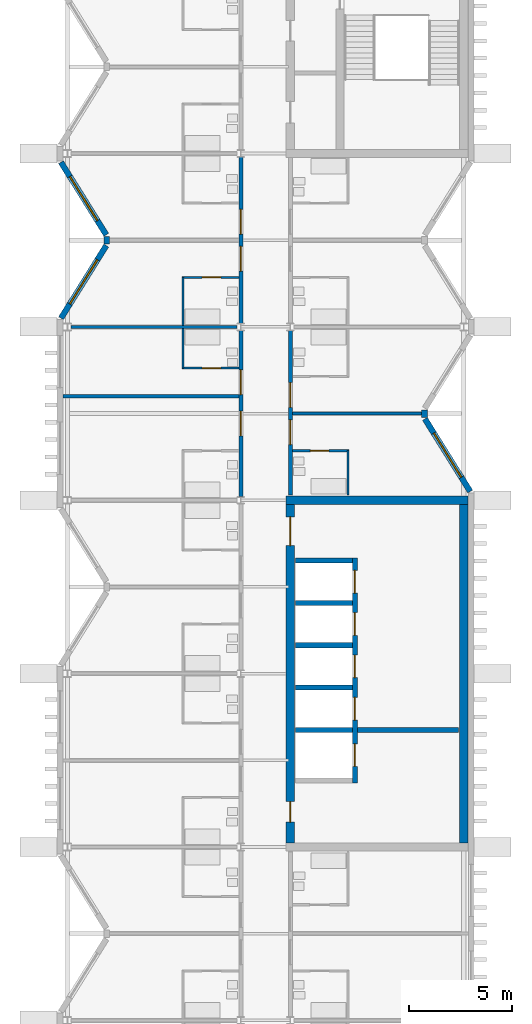
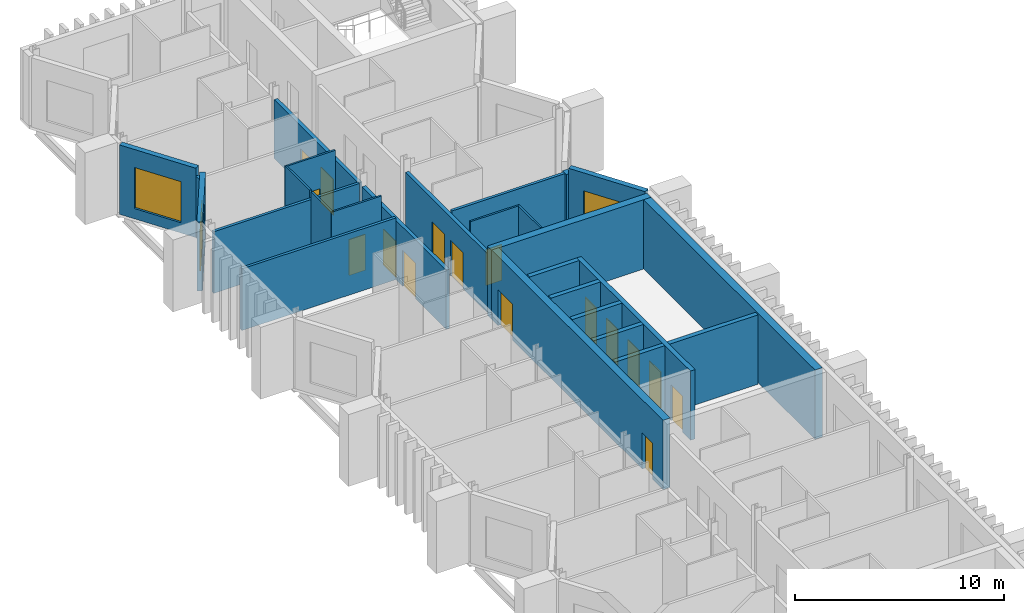
# One storey, part 7 of 11: 27 walls, 16 doors, 3 windows, 19 openings.
"""IFC4 building model written with IfcOpenShell, lengths in metres."""

from ifc_helpers import new_model, si_unit, direction, frame, frame_2d, origin, place, context, subcontext, project, spatial, rectangle, extrude, material, layer, layer_set, type_object, element, fill, save


model = new_model("IFC4")

# Units and contexts
model_context = context("Model", 3, precision=1e-05, world=origin(), true_north=direction((0.0, 1.0)))
body_context = subcontext(model_context, "Body", "Model", "MODEL_VIEW")
ifc_project = project(units=[si_unit("LENGTHUNIT", "METRE"), si_unit("AREAUNIT", "SQUARE_METRE"), si_unit("VOLUMEUNIT", "CUBIC_METRE"), si_unit("PLANEANGLEUNIT", "RADIAN"), si_unit("MASSUNIT", "GRAM", prefix="KILO")], contexts=[model_context])

# Site, building, storey
site_placement = place(None, origin())
site = spatial("IfcSite", under=ifc_project, at=site_placement, CompositionType="ELEMENT")
building_placement = place(site_placement, origin())
building = spatial("IfcBuilding", under=site, at=building_placement, Name="Cresset Court Congress Hotel", CompositionType="ELEMENT")
storey_placement = place(building_placement, frame((0.0, 0.0, 43.800048828125)))
storey = spatial("IfcBuildingStorey", under=building, at=storey_placement, Name="L10", CompositionType="ELEMENT", Elevation=43.800048828125)

# Wall, openings, doors
ifc_material_1 = material(Name="Gypsum board partition")
ifc_layer_1 = layer(ifc_material_1, 0.199951171875)
ifc_layer_set_1 = layer_set([ifc_layer_1], Name="Corridor wall 200")
wall_type_1 = type_object("IfcWallType", Name="Corridor wall 200", PredefinedType="PARTITIONING", material=ifc_layer_set_1)
wall_1_placement = place(storey_placement, frame((165.60009765625, 42.175048828125, 0.0), z_axis=(0.0, 0.0, 1.0), x_axis=(0.0, 1.0, 0.0)))
wall_1 = element("IfcWall", 1, at=wall_1_placement, inside=storey, type_object=wall_type_1, Name="A.wl.L10.075", PredefinedType="PARTITIONING", context=body_context, shape_type="SweptSolid", body=[
    extrude(rectangle(XDim=8.050048828125, YDim=0.199951171875, at=frame_2d((4.02490234375, 0.0))), origin(), (0.0, 0.0, 1.0), 3.449951171875),
])
opening_1_placement = place(wall_1_placement, frame((2.945068359375, 0.0, 0.0)))
opening_1 = element("IfcOpeningElement", 2, at=opening_1_placement, cuts=wall_1, Name="Opening DA-10-22", PredefinedType="OPENING", context=body_context, shape_type="SweptSolid", body=[
    extrude(rectangle(XDim=1.199951171875, YDim=2.10009765625, at=frame_2d((0.60009765625, 1.050048828125))), frame((0.0, 0.10986328125, 0.0), z_axis=(0.0, -1.0, 0.0), x_axis=(1.0, 0.0, 0.0)), (0.0, 0.0, 1.0), 0.219970703125),
])
opening_2_placement = place(wall_1_placement, frame((4.945068359375, 0.0, 0.0)))
opening_2 = element("IfcOpeningElement", 3, at=opening_2_placement, cuts=wall_1, Name="Opening DA-10-24", PredefinedType="OPENING", context=body_context, shape_type="SweptSolid", body=[
    extrude(rectangle(XDim=1.199951171875, YDim=2.10009765625, at=frame_2d((0.60009765625, 1.050048828125))), frame((0.0, 0.10986328125, 0.0), z_axis=(0.0, -1.0, 0.0), x_axis=(1.0, 0.0, 0.0)), (0.0, 0.0, 1.0), 0.219970703125),
])
ifc_material_2 = material(Name="timber", Category="wood")
door_type_1 = type_object("IfcDoorType", Name="Guest-room entry door 1200x2100 FD30S", OperationType="SINGLE_SWING_LEFT", PredefinedType="DOOR", material=ifc_material_2)
door_1_placement = place(opening_1_placement, origin())
door_1 = element("IfcDoor", 4, at=door_1_placement, inside=storey, type_object=door_type_1, Name="Door DA-10-22", OperationType="SINGLE_SWING_RIGHT", OverallHeight=2.10009765625, OverallWidth=1.199951171875, PredefinedType="DOOR", context=body_context, shape_type="SweptSolid", body=[
    extrude(rectangle(XDim=1.199951171875, YDim=2.10009765625, at=frame_2d((0.60009765625, 1.050048828125))), frame((0.0, 0.02490234375, 0.0), z_axis=(0.0, -1.0, 0.0), x_axis=(1.0, 0.0, 0.0)), (0.0, 0.0, 1.0), 0.050048828125),
])
fill(opening_1, door_1)
door_2_placement = place(opening_2_placement, origin())
door_2 = element("IfcDoor", 5, at=door_2_placement, inside=storey, type_object=door_type_1, Name="Door DA-10-24", OperationType="SINGLE_SWING_LEFT", OverallHeight=2.10009765625, OverallWidth=1.199951171875, PredefinedType="DOOR", context=body_context, shape_type="SweptSolid", body=[
    extrude(rectangle(XDim=1.199951171875, YDim=2.10009765625, at=frame_2d((0.60009765625, 1.050048828125))), frame((0.0, 0.02490234375, 0.0), z_axis=(0.0, -1.0, 0.0), x_axis=(1.0, 0.0, 0.0)), (0.0, 0.0, 1.0), 0.050048828125),
])
fill(opening_2, door_2)

wall_2_placement = place(storey_placement, frame((165.60009765625, 50.574951171875, 0.0), z_axis=(0.0, 0.0, 1.0), x_axis=(0.0, 1.0, 0.0)))
wall_2 = element("IfcWall", 6, at=wall_2_placement, inside=storey, type_object=wall_type_1, Name="A.wl.L10.076", PredefinedType="PARTITIONING", context=body_context, shape_type="SweptSolid", body=[
    extrude(rectangle(XDim=8.050048828125, YDim=0.199951171875, at=frame_2d((4.02490234375, 0.0))), origin(), (0.0, 0.0, 1.0), 3.449951171875),
])
opening_3_placement = place(wall_2_placement, frame((2.52490234375, 0.0, 0.0)))
opening_3 = element("IfcOpeningElement", 7, at=opening_3_placement, cuts=wall_2, Name="Opening DA-10-26", PredefinedType="OPENING", context=body_context, shape_type="SweptSolid", body=[
    extrude(rectangle(XDim=1.199951171875, YDim=2.10009765625, at=frame_2d((0.60009765625, 1.050048828125))), frame((0.0, 0.10986328125, 0.0), z_axis=(0.0, -1.0, 0.0), x_axis=(1.0, 0.0, 0.0)), (0.0, 0.0, 1.0), 0.219970703125),
])
opening_4_placement = place(wall_2_placement, frame((4.324951171875, 0.0, 0.0)))
opening_4 = element("IfcOpeningElement", 8, at=opening_4_placement, cuts=wall_2, Name="Opening DA-10-28", PredefinedType="OPENING", context=body_context, shape_type="SweptSolid", body=[
    extrude(rectangle(XDim=1.199951171875, YDim=2.10009765625, at=frame_2d((0.60009765625, 1.050048828125))), frame((0.0, 0.10986328125, 0.0), z_axis=(0.0, -1.0, 0.0), x_axis=(1.0, 0.0, 0.0)), (0.0, 0.0, 1.0), 0.219970703125),
])
door_3_placement = place(opening_3_placement, origin())
door_3 = element("IfcDoor", 9, at=door_3_placement, inside=storey, type_object=door_type_1, Name="Door DA-10-26", OperationType="SINGLE_SWING_RIGHT", OverallHeight=2.10009765625, OverallWidth=1.199951171875, PredefinedType="DOOR", context=body_context, shape_type="SweptSolid", body=[
    extrude(rectangle(XDim=1.199951171875, YDim=2.10009765625, at=frame_2d((0.60009765625, 1.050048828125))), frame((0.0, 0.02490234375, 0.0), z_axis=(0.0, -1.0, 0.0), x_axis=(1.0, 0.0, 0.0)), (0.0, 0.0, 1.0), 0.050048828125),
])
fill(opening_3, door_3)
door_4_placement = place(opening_4_placement, origin())
door_4 = element("IfcDoor", 10, at=door_4_placement, inside=storey, type_object=door_type_1, Name="Door DA-10-28", OperationType="SINGLE_SWING_LEFT", OverallHeight=2.10009765625, OverallWidth=1.199951171875, PredefinedType="DOOR", context=body_context, shape_type="SweptSolid", body=[
    extrude(rectangle(XDim=1.199951171875, YDim=2.10009765625, at=frame_2d((0.60009765625, 1.050048828125))), frame((0.0, 0.02490234375, 0.0), z_axis=(0.0, -1.0, 0.0), x_axis=(1.0, 0.0, 0.0)), (0.0, 0.0, 1.0), 0.050048828125),
])
fill(opening_4, door_4)

wall_3_placement = place(storey_placement, frame((168.0, 42.25, 0.0), z_axis=(0.0, 0.0, 1.0), x_axis=(0.0, 1.0, 0.0)))
wall_3 = element("IfcWall", 11, at=wall_3_placement, inside=storey, type_object=wall_type_1, Name="A.wl.L10.080", PredefinedType="PARTITIONING", context=body_context, shape_type="SweptSolid", body=[
    extrude(rectangle(XDim=7.97509765625, YDim=0.199951171875, at=frame_2d((3.987548828125, 0.0))), origin(), (0.0, 0.0, 1.0), 3.449951171875),
])
opening_5_placement = place(wall_3_placement, frame((2.449951171875, 0.0, 0.0)))
opening_5 = element("IfcOpeningElement", 12, at=opening_5_placement, cuts=wall_3, Name="Opening DA-10-42", PredefinedType="OPENING", context=body_context, shape_type="SweptSolid", body=[
    extrude(rectangle(XDim=1.199951171875, YDim=2.10009765625, at=frame_2d((0.60009765625, 1.050048828125))), frame((0.0, 0.10986328125, 0.0), z_axis=(0.0, -1.0, 0.0), x_axis=(1.0, 0.0, 0.0)), (0.0, 0.0, 1.0), 0.219970703125),
])
opening_6_placement = place(wall_3_placement, frame((4.25, 0.0, 0.0)))
opening_6 = element("IfcOpeningElement", 13, at=opening_6_placement, cuts=wall_3, Name="Opening DA-10-44", PredefinedType="OPENING", context=body_context, shape_type="SweptSolid", body=[
    extrude(rectangle(XDim=1.199951171875, YDim=2.10009765625, at=frame_2d((0.60009765625, 1.050048828125))), frame((0.0, 0.10986328125, 0.0), z_axis=(0.0, -1.0, 0.0), x_axis=(1.0, 0.0, 0.0)), (0.0, 0.0, 1.0), 0.219970703125),
])
door_5_placement = place(opening_5_placement, origin())
door_5 = element("IfcDoor", 14, at=door_5_placement, inside=storey, type_object=door_type_1, Name="Door DA-10-42", OperationType="SINGLE_SWING_RIGHT", OverallHeight=2.10009765625, OverallWidth=1.199951171875, PredefinedType="DOOR", context=body_context, shape_type="SweptSolid", body=[
    extrude(rectangle(XDim=1.199951171875, YDim=2.10009765625, at=frame_2d((0.60009765625, 1.050048828125))), frame((0.0, 0.02490234375, 0.0), z_axis=(0.0, -1.0, 0.0), x_axis=(1.0, 0.0, 0.0)), (0.0, 0.0, 1.0), 0.050048828125),
])
fill(opening_5, door_5)
door_6_placement = place(opening_6_placement, origin())
door_6 = element("IfcDoor", 15, at=door_6_placement, inside=storey, type_object=door_type_1, Name="Door DA-10-44", OperationType="SINGLE_SWING_LEFT", OverallHeight=2.10009765625, OverallWidth=1.199951171875, PredefinedType="DOOR", context=body_context, shape_type="SweptSolid", body=[
    extrude(rectangle(XDim=1.199951171875, YDim=2.10009765625, at=frame_2d((0.60009765625, 1.050048828125))), frame((0.0, 0.02490234375, 0.0), z_axis=(0.0, -1.0, 0.0), x_axis=(1.0, 0.0, 0.0)), (0.0, 0.0, 1.0), 0.050048828125),
])
fill(opening_6, door_6)

# Wall
ifc_material_3 = material(Name="Gypsum board partition")
ifc_layer_2 = layer(ifc_material_3, 0.10009765625)
ifc_layer_set_2 = layer_set([ifc_layer_2], Name="En-suite wall 100")
wall_type_2 = type_object("IfcWallType", Name="En-suite wall 100", PredefinedType="PARTITIONING", material=ifc_layer_set_2)
wall_4_placement = place(storey_placement, frame((162.800048828125, 48.39990234375, 0.0), z_axis=(0.0, 0.0, 1.0), x_axis=(0.0, 1.0, 0.0)))
element("IfcWall", 16, at=wall_4_placement, inside=storey, type_object=wall_type_2, Name="A.wl.L10.023", PredefinedType="PARTITIONING", context=body_context, shape_type="SweptSolid", body=[
    extrude(rectangle(XDim=1.925048828125, YDim=0.10009765625, at=frame_2d((0.96240234375, 0.0))), origin(), (0.0, 0.0, 1.0), 4.050048828125),
])

# Wall, opening, door
wall_5_placement = place(storey_placement, frame((162.75, 48.39990234375, 0.0), z_axis=(0.0, 0.0, 1.0), x_axis=(1.0, 0.0, 0.0)))
wall_5 = element("IfcWall", 17, at=wall_5_placement, inside=storey, type_object=wall_type_2, Name="A.wl.L10.024", PredefinedType="PARTITIONING", context=body_context, shape_type="SweptSolid", body=[
    extrude(rectangle(XDim=2.75, YDim=0.10009765625, at=frame_2d((1.375, 0.0))), origin(), (0.0, 0.0, 1.0), 4.050048828125),
])
opening_7_placement = place(wall_5_placement, frame((0.97998046875, 0.0, 0.0)))
opening_7 = element("IfcOpeningElement", 18, at=opening_7_placement, cuts=wall_5, Name="Opening DA-10-23", PredefinedType="OPENING", context=body_context, shape_type="SweptSolid", body=[
    extrude(rectangle(XDim=0.89990234375, YDim=2.10009765625, at=frame_2d((0.449951171875, 1.050048828125))), frame((0.0, 0.06005859375, 0.0), z_axis=(0.0, -1.0, 0.0), x_axis=(1.0, 0.0, 0.0)), (0.0, 0.0, 1.0), 0.1201171875),
])
ifc_material_4 = material(Name="timber", Category="wood")
door_type_2 = type_object("IfcDoorType", Name="En-suite door 900x2100", OperationType="SINGLE_SWING_LEFT", PredefinedType="DOOR", material=ifc_material_4)
door_7_placement = place(opening_7_placement, origin())
door_7 = element("IfcDoor", 19, at=door_7_placement, inside=storey, type_object=door_type_2, Name="Door DA-10-23", OperationType="SINGLE_SWING_LEFT", OverallHeight=2.10009765625, OverallWidth=0.89990234375, PredefinedType="DOOR", context=body_context, shape_type="SweptSolid", body=[
    extrude(rectangle(XDim=0.89990234375, YDim=2.10009765625, at=frame_2d((0.449951171875, 1.050048828125))), frame((0.0, 0.02490234375, 0.0), z_axis=(0.0, -1.0, 0.0), x_axis=(1.0, 0.0, 0.0)), (0.0, 0.0, 1.0), 0.050048828125),
])
fill(opening_7, door_7)

# Wall
wall_6_placement = place(storey_placement, frame((162.800048828125, 50.47509765625, 0.0), z_axis=(0.0, 0.0, 1.0), x_axis=(0.0, 1.0, 0.0)))
element("IfcWall", 20, at=wall_6_placement, inside=storey, type_object=wall_type_2, Name="A.wl.L10.025", PredefinedType="PARTITIONING", context=body_context, shape_type="SweptSolid", body=[
    extrude(rectangle(XDim=2.324951171875, YDim=0.10009765625, at=frame_2d((1.16259765625, 0.0))), origin(), (0.0, 0.0, 1.0), 4.050048828125),
])

# Wall, opening, door
wall_7_placement = place(storey_placement, frame((162.75, 52.800048828125, 0.0), z_axis=(0.0, 0.0, 1.0), x_axis=(1.0, 0.0, 0.0)))
wall_7 = element("IfcWall", 21, at=wall_7_placement, inside=storey, type_object=wall_type_2, Name="A.wl.L10.026", PredefinedType="PARTITIONING", context=body_context, shape_type="SweptSolid", body=[
    extrude(rectangle(XDim=2.75, YDim=0.10009765625, at=frame_2d((1.375, 0.0))), origin(), (0.0, 0.0, 1.0), 4.050048828125),
])
opening_8_placement = place(wall_7_placement, frame((0.97998046875, 0.0, 0.0)))
opening_8 = element("IfcOpeningElement", 22, at=opening_8_placement, cuts=wall_7, Name="Opening DA-10-25", PredefinedType="OPENING", context=body_context, shape_type="SweptSolid", body=[
    extrude(rectangle(XDim=0.89990234375, YDim=2.10009765625, at=frame_2d((0.449951171875, 1.050048828125))), frame((0.0, 0.06005859375, 0.0), z_axis=(0.0, -1.0, 0.0), x_axis=(1.0, 0.0, 0.0)), (0.0, 0.0, 1.0), 0.1201171875),
])
door_8_placement = place(opening_8_placement, origin())
door_8 = element("IfcDoor", 23, at=door_8_placement, inside=storey, type_object=door_type_2, Name="Door DA-10-25", OperationType="SINGLE_SWING_RIGHT", OverallHeight=2.10009765625, OverallWidth=0.89990234375, PredefinedType="DOOR", context=body_context, shape_type="SweptSolid", body=[
    extrude(rectangle(XDim=0.89990234375, YDim=2.10009765625, at=frame_2d((0.449951171875, 1.050048828125))), frame((0.0, 0.02490234375, 0.0), z_axis=(0.0, -1.0, 0.0), x_axis=(1.0, 0.0, 0.0)), (0.0, 0.0, 1.0), 0.050048828125),
])
fill(opening_8, door_8)

# Wall
wall_8_placement = place(storey_placement, frame((170.800048828125, 42.25, 0.0), z_axis=(0.0, 0.0, 1.0), x_axis=(0.0, 1.0, 0.0)))
element("IfcWall", 24, at=wall_8_placement, inside=storey, type_object=wall_type_2, Name="A.wl.L10.041", PredefinedType="PARTITIONING", context=body_context, shape_type="SweptSolid", body=[
    extrude(rectangle(XDim=2.14990234375, YDim=0.10009765625, at=frame_2d((1.074951171875, 0.0))), origin(), (0.0, 0.0, 1.0), 4.050048828125),
])

# Wall, opening, door
wall_9_placement = place(storey_placement, frame((170.85009765625, 44.39990234375, 0.0), z_axis=(0.0, 0.0, 1.0), x_axis=(-1.0, 0.0, 0.0)))
wall_9 = element("IfcWall", 25, at=wall_9_placement, inside=storey, type_object=wall_type_2, Name="A.wl.L10.042", PredefinedType="PARTITIONING", context=body_context, shape_type="SweptSolid", body=[
    extrude(rectangle(XDim=2.75, YDim=0.10009765625, at=frame_2d((1.375, 0.0))), origin(), (0.0, 0.0, 1.0), 4.050048828125),
])
opening_9_placement = place(wall_9_placement, frame((0.97998046875, 0.0, 0.0)))
opening_9 = element("IfcOpeningElement", 26, at=opening_9_placement, cuts=wall_9, Name="Opening DA-10-41", PredefinedType="OPENING", context=body_context, shape_type="SweptSolid", body=[
    extrude(rectangle(XDim=0.89990234375, YDim=2.10009765625, at=frame_2d((0.449951171875, 1.050048828125))), frame((0.0, 0.06005859375, 0.0), z_axis=(0.0, -1.0, 0.0), x_axis=(1.0, 0.0, 0.0)), (0.0, 0.0, 1.0), 0.1201171875),
])
door_9_placement = place(opening_9_placement, origin())
door_9 = element("IfcDoor", 27, at=door_9_placement, inside=storey, type_object=door_type_2, Name="Door DA-10-41", OperationType="SINGLE_SWING_RIGHT", OverallHeight=2.10009765625, OverallWidth=0.89990234375, PredefinedType="DOOR", context=body_context, shape_type="SweptSolid", body=[
    extrude(rectangle(XDim=0.89990234375, YDim=2.10009765625, at=frame_2d((0.449951171875, 1.050048828125))), frame((0.0, 0.02490234375, 0.0), z_axis=(0.0, -1.0, 0.0), x_axis=(1.0, 0.0, 0.0)), (0.0, 0.0, 1.0), 0.050048828125),
])
fill(opening_9, door_9)

# Wall, opening, window
ifc_material_5 = material(Name="Precast concrete C50", Category="concrete")
ifc_layer_3 = layer(ifc_material_5, 0.280029296875)
ifc_layer_set_3 = layer_set([ifc_layer_3], Name="External wall 280")
wall_type_3 = type_object("IfcWallType", Name="External wall 280", PredefinedType="SOLIDWALL", material=ifc_layer_set_3)
wall_10_placement = place(storey_placement, frame((156.88623046875, 50.82421875, 0.0), z_axis=(0.0, 0.0, 1.0), x_axis=(0.529018946142, 0.848610013271, 0.0)))
wall_10 = element("IfcWall", 28, at=wall_10_placement, inside=storey, type_object=wall_type_3, Name="A.ew.L10.Wn.6.0", PredefinedType="SOLIDWALL", context=body_context, shape_type="SweptSolid", body=[
    extrude(rectangle(XDim=4.144287109375, YDim=0.280029296875, at=frame_2d((2.072265625, 0.0))), origin(), (0.0, 0.0, 1.0), 4.050048828125),
])
opening_10_placement = place(wall_10_placement, frame((0.812255859375, 0.0, 0.60009765625)))
opening_10 = element("IfcOpeningElement", 29, at=opening_10_placement, cuts=wall_10, Name="Opening NA-10-13", PredefinedType="OPENING", context=body_context, shape_type="SweptSolid", body=[
    extrude(rectangle(XDim=2.52001953125, YDim=2.39990234375, at=frame_2d((1.260009765625, 1.199951171875))), frame((0.0, 0.14990234375, 0.0), z_axis=(0.0, -1.0, 0.0), x_axis=(1.0, 0.0, 0.0)), (0.0, 0.0, 1.0), 0.300048828125),
])
ifc_material_6 = material(Name="Aluminium and glass", Category="aluminium")
window_type = type_object("IfcWindowType", Name="Window 2520x2400", PartitioningType="SINGLE_PANEL", PredefinedType="WINDOW", material=ifc_material_6)
window_1_placement = place(opening_10_placement, origin())
window_1 = element("IfcWindow", 30, at=window_1_placement, inside=storey, type_object=window_type, Name="Window NA-10-13", OverallHeight=2.39990234375, OverallWidth=2.52001953125, PartitioningType="SINGLE_PANEL", PredefinedType="WINDOW", context=body_context, shape_type="SweptSolid", body=[
    extrude(rectangle(XDim=2.52001953125, YDim=2.39990234375, at=frame_2d((1.260009765625, 1.199951171875))), frame((0.0, 0.030029296875, 0.0), z_axis=(0.0, -1.0, 0.0), x_axis=(1.0, 0.0, 0.0)), (0.0, 0.0, 1.0), 0.06005859375),
])
fill(opening_10, window_1)

wall_11_placement = place(storey_placement, frame((159.07861328125, 54.85888671875, 0.0), z_axis=(0.0, 0.0, 1.0), x_axis=(-0.528992500338, 0.848626498871, 0.0)))
wall_11 = element("IfcWall", 31, at=wall_11_placement, inside=storey, type_object=wall_type_3, Name="A.ew.L10.Wn.6.1", PredefinedType="SOLIDWALL", context=body_context, shape_type="SweptSolid", body=[
    extrude(rectangle(XDim=4.14453125, YDim=0.280029296875, at=frame_2d((2.072265625, 0.0))), origin(), (0.0, 0.0, 1.0), 4.050048828125),
])
opening_11_placement = place(wall_11_placement, frame((0.812255859375, 0.0, 0.60009765625)))
opening_11 = element("IfcOpeningElement", 32, at=opening_11_placement, cuts=wall_11, Name="Opening NA-10-14", PredefinedType="OPENING", context=body_context, shape_type="SweptSolid", body=[
    extrude(rectangle(XDim=2.52001953125, YDim=2.39990234375, at=frame_2d((1.260009765625, 1.199951171875))), frame((0.0, 0.14990234375, 0.0), z_axis=(0.0, -1.0, 0.0), x_axis=(1.0, 0.0, 0.0)), (0.0, 0.0, 1.0), 0.300048828125),
])
window_2_placement = place(opening_11_placement, origin())
window_2 = element("IfcWindow", 33, at=window_2_placement, inside=storey, type_object=window_type, Name="Window NA-10-14", OverallHeight=2.39990234375, OverallWidth=2.52001953125, PartitioningType="SINGLE_PANEL", PredefinedType="WINDOW", context=body_context, shape_type="SweptSolid", body=[
    extrude(rectangle(XDim=2.52001953125, YDim=2.39990234375, at=frame_2d((1.260009765625, 1.199951171875))), frame((0.0, 0.030029296875, 0.0), z_axis=(0.0, -1.0, 0.0), x_axis=(1.0, 0.0, 0.0)), (0.0, 0.0, 1.0), 0.06005859375),
])
fill(opening_11, window_2)

# Wall
wall_12_placement = place(storey_placement, frame((159.099609375, 54.4150390625, 0.0), z_axis=(0.0, 0.0, 1.0), x_axis=(0.0, 1.0, 0.0)))
element("IfcWall", 34, at=wall_12_placement, inside=storey, type_object=wall_type_3, Name="A.ew.L10.Wn.6.2", PredefinedType="SOLIDWALL", context=body_context, shape_type="SweptSolid", body=[
    extrude(rectangle(XDim=0.369873046875, YDim=0.280029296875, at=frame_2d((0.18505859375, 0.0))), origin(), (0.0, 0.0, 1.0), 3.60400390625),
])

# Wall, opening, window
wall_13_placement = place(storey_placement, frame((176.7138671875, 42.424072265625, 0.0), z_axis=(0.0, 0.0, 1.0), x_axis=(-0.529018946142, 0.848610013271, 0.0)))
wall_13 = element("IfcWall", 35, at=wall_13_placement, inside=storey, type_object=wall_type_3, Name="A.ew.L10.En.5.0", PredefinedType="SOLIDWALL", context=body_context, shape_type="SweptSolid", body=[
    extrude(rectangle(XDim=4.144287109375, YDim=0.280029296875, at=frame_2d((2.072265625, 0.0))), origin(), (0.0, 0.0, 1.0), 4.050048828125),
])
opening_12_placement = place(wall_13_placement, frame((0.81201171875, 0.0, 0.60009765625)))
opening_12 = element("IfcOpeningElement", 36, at=opening_12_placement, cuts=wall_13, Name="Opening NA-10-21", PredefinedType="OPENING", context=body_context, shape_type="SweptSolid", body=[
    extrude(rectangle(XDim=2.52001953125, YDim=2.39990234375, at=frame_2d((1.260009765625, 1.199951171875))), frame((0.0, 0.14990234375, 0.0), z_axis=(0.0, -1.0, 0.0), x_axis=(1.0, 0.0, 0.0)), (0.0, 0.0, 1.0), 0.300048828125),
])
window_3_placement = place(opening_12_placement, origin())
window_3 = element("IfcWindow", 37, at=window_3_placement, inside=storey, type_object=window_type, Name="Window NA-10-21", OverallHeight=2.39990234375, OverallWidth=2.52001953125, PartitioningType="SINGLE_PANEL", PredefinedType="WINDOW", context=body_context, shape_type="SweptSolid", body=[
    extrude(rectangle(XDim=2.52001953125, YDim=2.39990234375, at=frame_2d((1.260009765625, 1.199951171875))), frame((0.0, 0.030029296875, 0.0), z_axis=(0.0, -1.0, 0.0), x_axis=(1.0, 0.0, 0.0)), (0.0, 0.0, 1.0), 0.06005859375),
])
fill(opening_12, window_3)

# Walls
wall_14_placement = place(storey_placement, frame((174.500244140625, 46.01513671875, 0.0), z_axis=(0.0, 0.0, 1.0), x_axis=(0.0, 1.0, 0.0)))
element("IfcWall", 38, at=wall_14_placement, inside=storey, type_object=wall_type_3, Name="A.ew.L10.En.5.2", PredefinedType="SOLIDWALL", context=body_context, shape_type="SweptSolid", body=[
    extrude(rectangle(XDim=0.369873046875, YDim=0.280029296875, at=frame_2d((0.18505859375, 0.0))), origin(), (0.0, 0.0, 1.0), 3.60400390625),
])
ifc_material_7 = material(Name="Gypsum board partition")
ifc_layer_4 = layer(ifc_material_7, 0.14990234375)
ifc_layer_set_4 = layer_set([ifc_layer_4], Name="Guest-room partition 150")
wall_type_4 = type_object("IfcWallType", Name="Guest-room partition 150", PredefinedType="PARTITIONING", material=ifc_layer_set_4)
wall_15_placement = place(storey_placement, frame((157.375, 50.39990234375, 0.0), z_axis=(0.0, 0.0, 1.0), x_axis=(1.0, 0.0, 0.0)))
element("IfcWall", 39, at=wall_15_placement, inside=storey, type_object=wall_type_4, Name="A.wl.L10.054", PredefinedType="PARTITIONING", context=body_context, shape_type="SweptSolid", body=[
    extrude(rectangle(XDim=8.050048828125, YDim=0.14990234375, at=frame_2d((4.02490234375, 0.0))), origin(), (0.0, 0.0, 1.0), 3.60400390625),
])
wall_16_placement = place(storey_placement, frame((156.97998046875, 47.0400390625, 0.0), z_axis=(0.0, 0.0, 1.0), x_axis=(1.0, 0.0, 0.0)))
element("IfcWall", 40, at=wall_16_placement, inside=storey, type_object=wall_type_4, Name="A.wl.L10.063", PredefinedType="PARTITIONING", context=body_context, shape_type="SweptSolid", body=[
    extrude(rectangle(XDim=8.52001953125, YDim=0.14990234375, at=frame_2d((4.260009765625, 0.0))), origin(), (0.0, 0.0, 1.0), 3.60400390625),
])
wall_17_placement = place(storey_placement, frame((168.10009765625, 46.199951171875, 0.0), z_axis=(0.0, 0.0, 1.0), x_axis=(1.0, 0.0, 0.0)))
element("IfcWall", 41, at=wall_17_placement, inside=storey, type_object=wall_type_4, Name="A.wl.L10.068", PredefinedType="PARTITIONING", context=body_context, shape_type="SweptSolid", body=[
    extrude(rectangle(XDim=6.26025390625, YDim=0.14990234375, at=frame_2d((3.130126953125, 0.0))), origin(), (0.0, 0.0, 1.0), 3.60400390625),
])
ifc_material_8 = material(Name="Concrete C50", Category="concrete")
ifc_layer_5 = layer(ifc_material_8, 0.39990234375)
ifc_layer_set_5 = layer_set([ifc_layer_5], Name="Lift core wall 400")
wall_type_5 = type_object("IfcWallType", Name="Lift core wall 400", PredefinedType="SOLIDWALL", material=ifc_layer_set_5)
wall_18_placement = place(storey_placement, frame((167.800048828125, 42.0, 0.0), z_axis=(0.0, 0.0, 1.0), x_axis=(1.0, 0.0, 0.0)))
element("IfcWall", 42, at=wall_18_placement, inside=storey, type_object=wall_type_5, Name="A.cw.LC-A.L10.N", PredefinedType="SOLIDWALL", context=body_context, shape_type="SweptSolid", body=[
    extrude(rectangle(XDim=8.800048828125, YDim=0.39990234375, at=frame_2d((4.39990234375, 0.0))), origin(), (0.0, 0.0, 1.0), 4.050048828125),
])

# Wall, openings, doors
wall_19_placement = place(storey_placement, frame((168.0, 25.39990234375, 0.0), z_axis=(0.0, 0.0, 1.0), x_axis=(0.0, 1.0, 0.0)))
wall_19 = element("IfcWall", 43, at=wall_19_placement, inside=storey, type_object=wall_type_5, Name="A.cw.LC-A.L10.W", PredefinedType="SOLIDWALL", context=body_context, shape_type="SweptSolid", body=[
    extrude(rectangle(XDim=16.400146484375, YDim=0.39990234375, at=frame_2d((8.2001953125, 0.0))), origin(), (0.0, 0.0, 1.0), 4.050048828125),
])
opening_13_placement = place(wall_19_placement, frame((1.0, 0.0, 0.0)))
opening_13 = element("IfcOpeningElement", 44, at=opening_13_placement, cuts=wall_19, Name="Opening DA-10-60", PredefinedType="OPENING", context=body_context, shape_type="SweptSolid", body=[
    extrude(rectangle(XDim=1.0, YDim=2.10009765625, at=frame_2d((0.5, 1.050048828125))), frame((0.0, 0.2099609375, 0.0), z_axis=(0.0, -1.0, 0.0), x_axis=(1.0, 0.0, 0.0)), (0.0, 0.0, 1.0), 0.419921875),
])
opening_14_placement = place(wall_19_placement, frame((14.39990234375, 0.0, 0.0)))
opening_14 = element("IfcOpeningElement", 45, at=opening_14_placement, cuts=wall_19, Name="Opening DA-10-61", PredefinedType="OPENING", context=body_context, shape_type="SweptSolid", body=[
    extrude(rectangle(XDim=1.39990234375, YDim=2.10009765625, at=frame_2d((0.699951171875, 1.050048828125))), frame((0.0, 0.2099609375, 0.0), z_axis=(0.0, -1.0, 0.0), x_axis=(1.0, 0.0, 0.0)), (0.0, 0.0, 1.0), 0.419921875),
])
ifc_material_9 = material(Name="steel", Category="steel")
door_type_3 = type_object("IfcDoorType", Name="Lobby door 1000x2100 FD60", OperationType="SINGLE_SWING_LEFT", PredefinedType="DOOR", material=ifc_material_9)
door_10_placement = place(opening_13_placement, origin())
door_10 = element("IfcDoor", 46, at=door_10_placement, inside=storey, type_object=door_type_3, Name="Door DA-10-60", OperationType="SINGLE_SWING_RIGHT", OverallHeight=2.10009765625, OverallWidth=1.0, PredefinedType="DOOR", context=body_context, shape_type="SweptSolid", body=[
    extrude(rectangle(XDim=1.0, YDim=2.10009765625, at=frame_2d((0.5, 1.050048828125))), frame((0.0, 0.02490234375, 0.0), z_axis=(0.0, -1.0, 0.0), x_axis=(1.0, 0.0, 0.0)), (0.0, 0.0, 1.0), 0.050048828125),
])
fill(opening_13, door_10)
ifc_material_10 = material(Name="steel", Category="steel")
door_type_4 = type_object("IfcDoorType", Name="Lobby door 1400x2100 FD60", OperationType="DOUBLE_DOOR_DOUBLE_SWING", PredefinedType="DOOR", material=ifc_material_10)
door_11_placement = place(opening_14_placement, origin())
door_11 = element("IfcDoor", 47, at=door_11_placement, inside=storey, type_object=door_type_4, Name="Door DA-10-61", OperationType="DOUBLE_DOOR_DOUBLE_SWING", OverallHeight=2.10009765625, OverallWidth=1.39990234375, PredefinedType="DOOR", context=body_context, shape_type="SweptSolid", body=[
    extrude(rectangle(XDim=1.39990234375, YDim=2.10009765625, at=frame_2d((0.699951171875, 1.050048828125))), frame((0.0, 0.02490234375, 0.0), z_axis=(0.0, -1.0, 0.0), x_axis=(1.0, 0.0, 0.0)), (0.0, 0.0, 1.0), 0.050048828125),
])
fill(opening_14, door_11)

# Wall
wall_20_placement = place(storey_placement, frame((176.39990234375, 25.39990234375, 0.0), z_axis=(0.0, 0.0, 1.0), x_axis=(0.0, 1.0, 0.0)))
element("IfcWall", 48, at=wall_20_placement, inside=storey, type_object=wall_type_5, Name="A.cw.LC-A.L10.E", PredefinedType="SOLIDWALL", context=body_context, shape_type="SweptSolid", body=[
    extrude(rectangle(XDim=16.400146484375, YDim=0.39990234375, at=frame_2d((8.2001953125, 0.0))), origin(), (0.0, 0.0, 1.0), 4.050048828125),
])

# Wall, openings, doors
ifc_material_11 = material(Name="Concrete C50", Category="concrete")
ifc_layer_6 = layer(ifc_material_11, 0.25)
ifc_layer_set_6 = layer_set([ifc_layer_6], Name="Lift shaft wall 250")
wall_type_6 = type_object("IfcWallType", Name="Lift shaft wall 250", PredefinedType="SOLIDWALL", material=ifc_layer_set_6)
wall_21_placement = place(storey_placement, frame((171.125, 28.300048828125, 0.0), z_axis=(0.0, 0.0, 1.0), x_axis=(0.0, 1.0, 0.0)))
wall_21 = element("IfcWall", 49, at=wall_21_placement, inside=storey, type_object=wall_type_6, Name="A.wl.L10.086", PredefinedType="SOLIDWALL", context=body_context, shape_type="SweptSolid", body=[
    extrude(rectangle(XDim=10.89990234375, YDim=0.25, at=frame_2d((5.449951171875, 0.0))), origin(), (0.0, 0.0, 1.0), 4.050048828125),
])
opening_15_placement = place(wall_21_placement, frame((0.800048828125, 0.0, 0.0)))
opening_15 = element("IfcOpeningElement", 50, at=opening_15_placement, cuts=wall_21, Name="Opening LD-A1-10", PredefinedType="OPENING", context=body_context, shape_type="SweptSolid", body=[
    extrude(rectangle(XDim=1.10009765625, YDim=2.10009765625, at=frame_2d((0.550048828125, 1.050048828125))), frame((0.0, 0.135009765625, 0.0), z_axis=(0.0, -1.0, 0.0), x_axis=(1.0, 0.0, 0.0)), (0.0, 0.0, 1.0), 0.27001953125),
])
opening_16_placement = place(wall_21_placement, frame((3.050048828125, 0.0, 0.0)))
opening_16 = element("IfcOpeningElement", 51, at=opening_16_placement, cuts=wall_21, Name="Opening LD-A2-10", PredefinedType="OPENING", context=body_context, shape_type="SweptSolid", body=[
    extrude(rectangle(XDim=1.10009765625, YDim=2.10009765625, at=frame_2d((0.550048828125, 1.050048828125))), frame((0.0, 0.135009765625, 0.0), z_axis=(0.0, -1.0, 0.0), x_axis=(1.0, 0.0, 0.0)), (0.0, 0.0, 1.0), 0.27001953125),
])
opening_17_placement = place(wall_21_placement, frame((5.10009765625, 0.0, 0.0)))
opening_17 = element("IfcOpeningElement", 52, at=opening_17_placement, cuts=wall_21, Name="Opening LD-A3-10", PredefinedType="OPENING", context=body_context, shape_type="SweptSolid", body=[
    extrude(rectangle(XDim=1.10009765625, YDim=2.10009765625, at=frame_2d((0.550048828125, 1.050048828125))), frame((0.0, 0.135009765625, 0.0), z_axis=(0.0, -1.0, 0.0), x_axis=(1.0, 0.0, 0.0)), (0.0, 0.0, 1.0), 0.27001953125),
])
opening_18_placement = place(wall_21_placement, frame((7.14990234375, 0.0, 0.0)))
opening_18 = element("IfcOpeningElement", 53, at=opening_18_placement, cuts=wall_21, Name="Opening LD-A4-10", PredefinedType="OPENING", context=body_context, shape_type="SweptSolid", body=[
    extrude(rectangle(XDim=1.10009765625, YDim=2.10009765625, at=frame_2d((0.550048828125, 1.050048828125))), frame((0.0, 0.135009765625, 0.0), z_axis=(0.0, -1.0, 0.0), x_axis=(1.0, 0.0, 0.0)), (0.0, 0.0, 1.0), 0.27001953125),
])
opening_19_placement = place(wall_21_placement, frame((9.199951171875, 0.0, 0.0)))
opening_19 = element("IfcOpeningElement", 54, at=opening_19_placement, cuts=wall_21, Name="Opening LD-A5-10", PredefinedType="OPENING", context=body_context, shape_type="SweptSolid", body=[
    extrude(rectangle(XDim=1.10009765625, YDim=2.10009765625, at=frame_2d((0.550048828125, 1.050048828125))), frame((0.0, 0.135009765625, 0.0), z_axis=(0.0, -1.0, 0.0), x_axis=(1.0, 0.0, 0.0)), (0.0, 0.0, 1.0), 0.27001953125),
])
ifc_material_12 = material(Name="stainless steel", Category="steel")
door_type_5 = type_object("IfcDoorType", Name="Lift landing door 1100x2100 E 60", OperationType="SLIDING_TO_LEFT", PredefinedType="DOOR", material=ifc_material_12)
door_12_placement = place(opening_15_placement, origin())
door_12 = element("IfcDoor", 55, at=door_12_placement, inside=storey, type_object=door_type_5, Name="Lift landing door LD-A1-10", OperationType="SLIDING_TO_LEFT", OverallHeight=2.10009765625, OverallWidth=1.10009765625, PredefinedType="DOOR", context=body_context, shape_type="SweptSolid", body=[
    extrude(rectangle(XDim=1.10009765625, YDim=2.10009765625, at=frame_2d((0.550048828125, 1.050048828125))), frame((0.0, 0.02490234375, 0.0), z_axis=(0.0, -1.0, 0.0), x_axis=(1.0, 0.0, 0.0)), (0.0, 0.0, 1.0), 0.050048828125),
])
fill(opening_15, door_12)
door_13_placement = place(opening_16_placement, origin())
door_13 = element("IfcDoor", 56, at=door_13_placement, inside=storey, type_object=door_type_5, Name="Lift landing door LD-A2-10", OperationType="SLIDING_TO_LEFT", OverallHeight=2.10009765625, OverallWidth=1.10009765625, PredefinedType="DOOR", context=body_context, shape_type="SweptSolid", body=[
    extrude(rectangle(XDim=1.10009765625, YDim=2.10009765625, at=frame_2d((0.550048828125, 1.050048828125))), frame((0.0, 0.02490234375, 0.0), z_axis=(0.0, -1.0, 0.0), x_axis=(1.0, 0.0, 0.0)), (0.0, 0.0, 1.0), 0.050048828125),
])
fill(opening_16, door_13)
door_14_placement = place(opening_17_placement, origin())
door_14 = element("IfcDoor", 57, at=door_14_placement, inside=storey, type_object=door_type_5, Name="Lift landing door LD-A3-10", OperationType="SLIDING_TO_LEFT", OverallHeight=2.10009765625, OverallWidth=1.10009765625, PredefinedType="DOOR", context=body_context, shape_type="SweptSolid", body=[
    extrude(rectangle(XDim=1.10009765625, YDim=2.10009765625, at=frame_2d((0.550048828125, 1.050048828125))), frame((0.0, 0.02490234375, 0.0), z_axis=(0.0, -1.0, 0.0), x_axis=(1.0, 0.0, 0.0)), (0.0, 0.0, 1.0), 0.050048828125),
])
fill(opening_17, door_14)
door_15_placement = place(opening_18_placement, origin())
door_15 = element("IfcDoor", 58, at=door_15_placement, inside=storey, type_object=door_type_5, Name="Lift landing door LD-A4-10", OperationType="SLIDING_TO_LEFT", OverallHeight=2.10009765625, OverallWidth=1.10009765625, PredefinedType="DOOR", context=body_context, shape_type="SweptSolid", body=[
    extrude(rectangle(XDim=1.10009765625, YDim=2.10009765625, at=frame_2d((0.550048828125, 1.050048828125))), frame((0.0, 0.02490234375, 0.0), z_axis=(0.0, -1.0, 0.0), x_axis=(1.0, 0.0, 0.0)), (0.0, 0.0, 1.0), 0.050048828125),
])
fill(opening_18, door_15)
door_16_placement = place(opening_19_placement, origin())
door_16 = element("IfcDoor", 59, at=door_16_placement, inside=storey, type_object=door_type_5, Name="Lift landing door LD-A5-10", OperationType="SLIDING_TO_LEFT", OverallHeight=2.10009765625, OverallWidth=1.10009765625, PredefinedType="DOOR", context=body_context, shape_type="SweptSolid", body=[
    extrude(rectangle(XDim=1.10009765625, YDim=2.10009765625, at=frame_2d((0.550048828125, 1.050048828125))), frame((0.0, 0.02490234375, 0.0), z_axis=(0.0, -1.0, 0.0), x_axis=(1.0, 0.0, 0.0)), (0.0, 0.0, 1.0), 0.050048828125),
])
fill(opening_19, door_16)

# Walls
for number, where, z_axis, x_axis, name in (
    (60, (168.25, 30.875, 0.0), (0.0, 0.0, 1.0), (1.0, 0.0, 0.0), "A.wl.L10.088"),
    (61, (168.25, 32.925048828125, 0.0), (0.0, 0.0, 1.0), (1.0, 0.0, 0.0), "A.wl.L10.089"),
    (62, (168.25, 34.97509765625, 0.0), (0.0, 0.0, 1.0), (1.0, 0.0, 0.0), "A.wl.L10.090"),
    (63, (168.25, 37.02490234375, 0.0), (0.0, 0.0, 1.0), (1.0, 0.0, 0.0), "A.wl.L10.091"),
    (64, (168.25, 39.074951171875, 0.0), (0.0, 0.0, 1.0), (1.0, 0.0, 0.0), "A.wl.L10.092"),
):
    element("IfcWall", number, at=place(storey_placement, frame(where, z_axis=z_axis, x_axis=x_axis)), inside=storey, type_object=wall_type_6, Name=name, PredefinedType="SOLIDWALL", context=body_context, shape_type="SweptSolid", body=[
        extrude(rectangle(XDim=2.75, YDim=0.25, at=frame_2d((1.375, 0.0))), origin(), (0.0, 0.0, 1.0), 4.050048828125),
    ])
wall_22_placement = place(storey_placement, frame((171.25, 30.875, 0.0), z_axis=(0.0, 0.0, 1.0), x_axis=(1.0, 0.0, 0.0)))
element("IfcWall", 65, at=wall_22_placement, inside=storey, type_object=wall_type_6, Name="A.wl.L10.093", PredefinedType="SOLIDWALL", context=body_context, shape_type="SweptSolid", body=[
    extrude(rectangle(XDim=4.89990234375, YDim=0.25, at=frame_2d((2.449951171875, 0.0))), origin(), (0.0, 0.0, 1.0), 4.050048828125),
])

save(model, "model.ifc")
